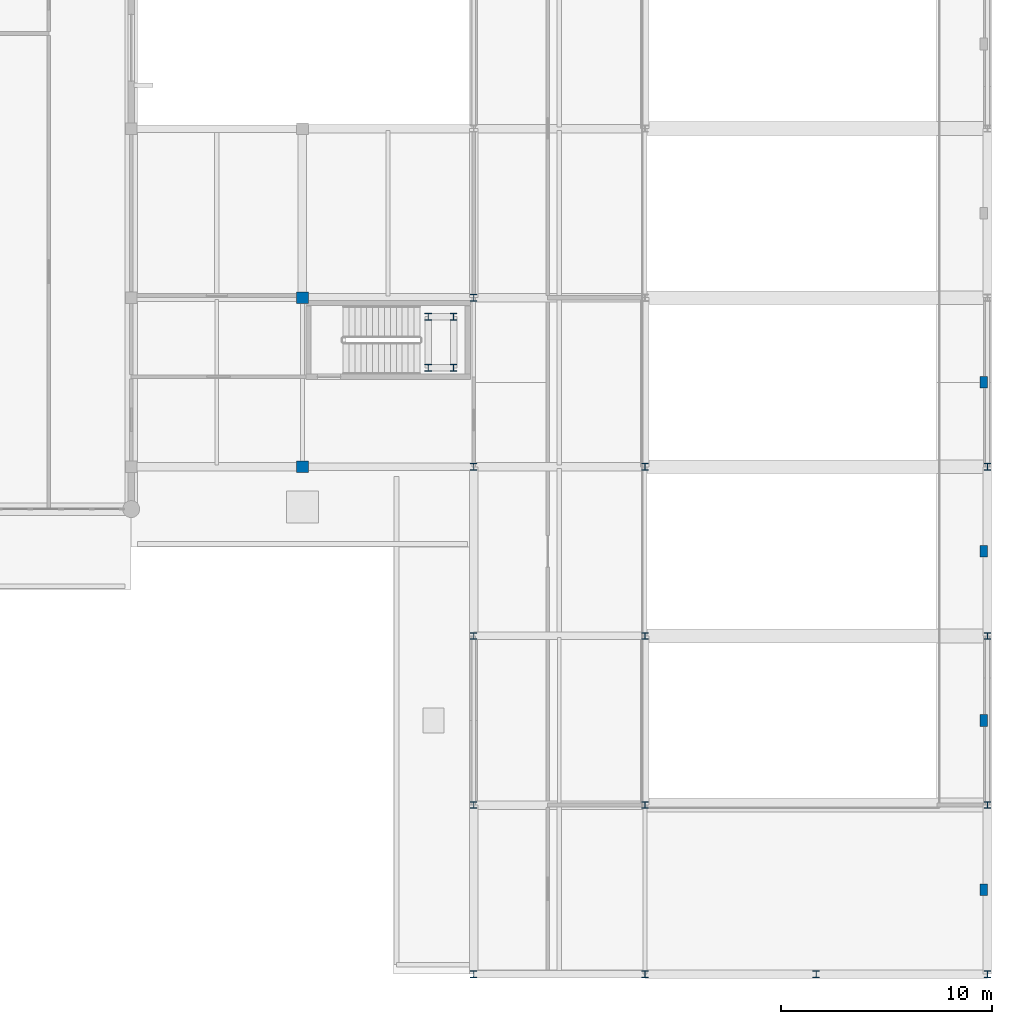
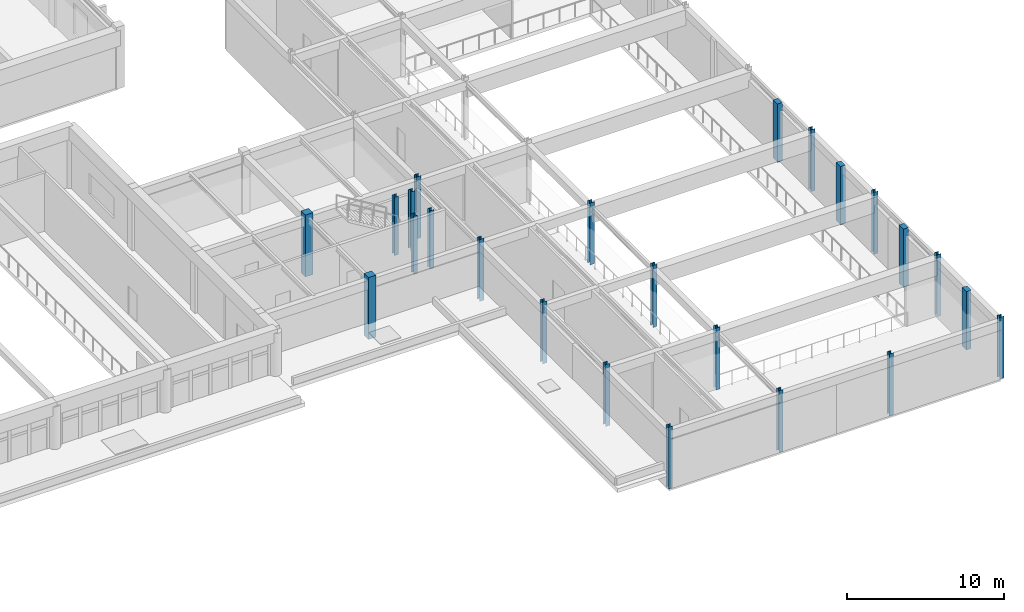
# One storey, part 2 of 61: 24 columns.
"""IFC4 building model written with IfcOpenShell, lengths in metres."""

from ifc_helpers import new_model, si_unit, direction, frame, origin, origin_2d, place, context, subcontext, project, spatial, rectangle, i_section, extrude, material, material_profile, profile_set, type_object, element, save


model = new_model("IFC4")

# Units and contexts
model_context = context("Model", 3, precision=1e-05, world=origin(), true_north=direction((0.0, 1.0)))
body_context = subcontext(model_context, "Body", "Model", "MODEL_VIEW")
ifc_project = project(units=[si_unit("LENGTHUNIT", "METRE"), si_unit("AREAUNIT", "SQUARE_METRE"), si_unit("VOLUMEUNIT", "CUBIC_METRE"), si_unit("PLANEANGLEUNIT", "RADIAN"), si_unit("MASSUNIT", "GRAM", prefix="KILO")], contexts=[model_context])

# Site, building, storey
site_placement = place(None, origin())
site = spatial("IfcSite", under=ifc_project, at=site_placement, CompositionType="ELEMENT")
building_placement = place(site_placement, origin())
building = spatial("IfcBuilding", under=site, at=building_placement, Name="Tarnveldt Square Police Headquarters", CompositionType="ELEMENT")
storey_placement = place(building_placement, frame((0.0, 0.0, 5.39990234375)))
storey = spatial("IfcBuildingStorey", under=building, at=storey_placement, Name="L01", CompositionType="ELEMENT", Elevation=5.39990234375)

# Columns
ifc_material_1 = material(Name="Precast concrete 35 MPa", Category="concrete")
ifc_material_profile_1 = material_profile(ifc_material_1, rectangle(XDim=0.35009765625, YDim=0.550048828125, at=origin_2d()), Name="RC-PIL350x550")
ifc_profile_set_1 = profile_set([ifc_material_profile_1], Name="Precast concrete 35 MPa")
column_type_1 = type_object("IfcColumnType", Name="COL-PIL350x550", PredefinedType="PILASTER", material=ifc_profile_set_1)
for number, where, z_axis, x_axis, name in (
    (1, (161.820068359375, 4.0, 0.0), (0.0, 0.0, 1.0), (1.0, 0.0, 0.0), "L01 Engaged Brutalist Pilaster 1"),
    (2, (161.820068359375, 12.0, 0.0), (0.0, 0.0, 1.0), (1.0, 0.0, 0.0), "L01 Engaged Brutalist Pilaster 2"),
    (3, (161.820068359375, 20.0, 0.0), (0.0, 0.0, 1.0), (1.0, 0.0, 0.0), "L01 Engaged Brutalist Pilaster 3"),
    (4, (161.820068359375, 28.0, 0.0), (0.0, 0.0, 1.0), (1.0, 0.0, 0.0), "L01 Engaged Brutalist Pilaster 4"),
):
    element("IfcColumn", number, at=place(storey_placement, frame(where, z_axis=z_axis, x_axis=x_axis)), inside=storey, type_object=column_type_1, Name=name, PredefinedType="PILASTER", context=body_context, shape_type="SweptSolid", body=[
        extrude(rectangle(XDim=0.35009765625, YDim=0.550048828125, at=origin_2d()), origin(), (0.0, 0.0, 1.0), 4.52001953125),
    ])
ifc_material_2 = material(Name="Concrete 40 MPa", Category="concrete")
ifc_material_profile_2 = material_profile(ifc_material_2, rectangle(XDim=0.550048828125, YDim=0.550048828125, at=origin_2d()), Name="RC-C550x550")
ifc_profile_set_2 = profile_set([ifc_material_profile_2], Name="Concrete 40 MPa")
column_type_2 = type_object("IfcColumnType", Name="COL-RC550", PredefinedType="COLUMN", material=ifc_profile_set_2)
for number, where, z_axis, x_axis, name in (
    (5, (129.60009765625, 24.0, 0.0), (0.0, 0.0, 1.0), (1.0, 0.0, 0.0), "L01 Column 169"),
    (6, (129.60009765625, 32.0, 0.0), (0.0, 0.0, 1.0), (1.0, 0.0, 0.0), "L01 Column 170"),
):
    element("IfcColumn", number, at=place(storey_placement, frame(where, z_axis=z_axis, x_axis=x_axis)), inside=storey, type_object=column_type_2, Name=name, PredefinedType="COLUMN", context=body_context, shape_type="SweptSolid", body=[
        extrude(rectangle(XDim=0.550048828125, YDim=0.550048828125, at=origin_2d()), origin(), (0.0, 0.0, 1.0), 4.800048828125),
    ])
ifc_material_3 = material(Name="Steel 350W", Category="steel")
ifc_material_profile_3 = material_profile(ifc_material_3, i_section(OverallWidth=0.30908203125, OverallDepth=0.322998046875, WebThickness=0.013916015625, FlangeThickness=0.02294921875, FilletRadius=0.014892578125, at=origin_2d()), Name="W310x143")
ifc_profile_set_3 = profile_set([ifc_material_profile_3], Name="Steel 350W")
column_type_3 = type_object("IfcColumnType", Name="COL-W310x143", PredefinedType="COLUMN", material=ifc_profile_set_3)
for number, where, z_axis, x_axis, name in (
    (7, (135.550048828125, 28.679931640625, 0.0), (0.0, 0.0, 1.0), (1.0, 0.0, 0.0), "L01 Column 181"),
    (8, (135.550048828125, 31.10009765625, 0.0), (0.0, 0.0, 1.0), (1.0, 0.0, 0.0), "L01 Column 182"),
    (9, (136.75, 28.679931640625, 0.0), (0.0, 0.0, 1.0), (1.0, 0.0, 0.0), "L01 Column 183"),
    (10, (136.75, 31.10009765625, 0.0), (0.0, 0.0, 1.0), (1.0, 0.0, 0.0), "L01 Column 184"),
):
    element("IfcColumn", number, at=place(storey_placement, frame(where, z_axis=z_axis, x_axis=x_axis)), inside=storey, type_object=column_type_3, Name=name, PredefinedType="COLUMN", context=body_context, shape_type="SweptSolid", body=[
        extrude(i_section(OverallWidth=0.30908203125, OverallDepth=0.322998046875, WebThickness=0.013916015625, FlangeThickness=0.02294921875, FilletRadius=0.014892578125, at=origin_2d()), origin(), (0.0, 0.0, 1.0), 4.52001953125),
    ])
for number, where, z_axis, x_axis, name in (
    (11, (137.699951171875, 0.0, 0.0), (0.0, 0.0, 1.0), (1.0, 0.0, 0.0), "L01 Column 185"),
    (12, (137.699951171875, 8.0, 0.0), (0.0, 0.0, 1.0), (1.0, 0.0, 0.0), "L01 Column 186"),
    (13, (137.699951171875, 16.0, 0.0), (0.0, 0.0, 1.0), (1.0, 0.0, 0.0), "L01 Column 187"),
    (14, (137.699951171875, 24.0, 0.0), (0.0, 0.0, 1.0), (1.0, 0.0, 0.0), "L01 Column 188"),
    (15, (137.699951171875, 32.0, 0.0), (0.0, 0.0, 1.0), (1.0, 0.0, 0.0), "L01 Column 189"),
    (16, (145.800048828125, 0.0, 0.0), (0.0, 0.0, 1.0), (1.0, 0.0, 0.0), "L01 Column 193"),
    (17, (145.800048828125, 8.0, 0.0), (0.0, 0.0, 1.0), (1.0, 0.0, 0.0), "L01 Column 194"),
    (18, (145.800048828125, 16.0, 0.0), (0.0, 0.0, 1.0), (1.0, 0.0, 0.0), "L01 Column 195"),
    (19, (145.800048828125, 24.0, 0.0), (0.0, 0.0, 1.0), (1.0, 0.0, 0.0), "L01 Column 196"),
    (20, (153.89990234375, 0.0, 0.0), (0.0, 0.0, 1.0), (1.0, 0.0, 0.0), "L01 Column 201"),
    (21, (162.0, 0.0, 0.0), (0.0, 0.0, 1.0), (1.0, 0.0, 0.0), "L01 Column 203"),
    (22, (162.0, 8.0, 0.0), (0.0, 0.0, 1.0), (1.0, 0.0, 0.0), "L01 Column 204"),
    (23, (162.0, 16.0, 0.0), (0.0, 0.0, 1.0), (1.0, 0.0, 0.0), "L01 Column 205"),
    (24, (162.0, 24.0, 0.0), (0.0, 0.0, 1.0), (1.0, 0.0, 0.0), "L01 Column 206"),
):
    element("IfcColumn", number, at=place(storey_placement, frame(where, z_axis=z_axis, x_axis=x_axis)), inside=storey, type_object=column_type_3, Name=name, PredefinedType="COLUMN", context=body_context, shape_type="SweptSolid", body=[
        extrude(i_section(OverallWidth=0.30908203125, OverallDepth=0.322998046875, WebThickness=0.013916015625, FlangeThickness=0.02294921875, FilletRadius=0.014892578125, at=origin_2d()), origin(), (0.0, 0.0, 1.0), 4.800048828125),
    ])

save(model, "model.ifc")
